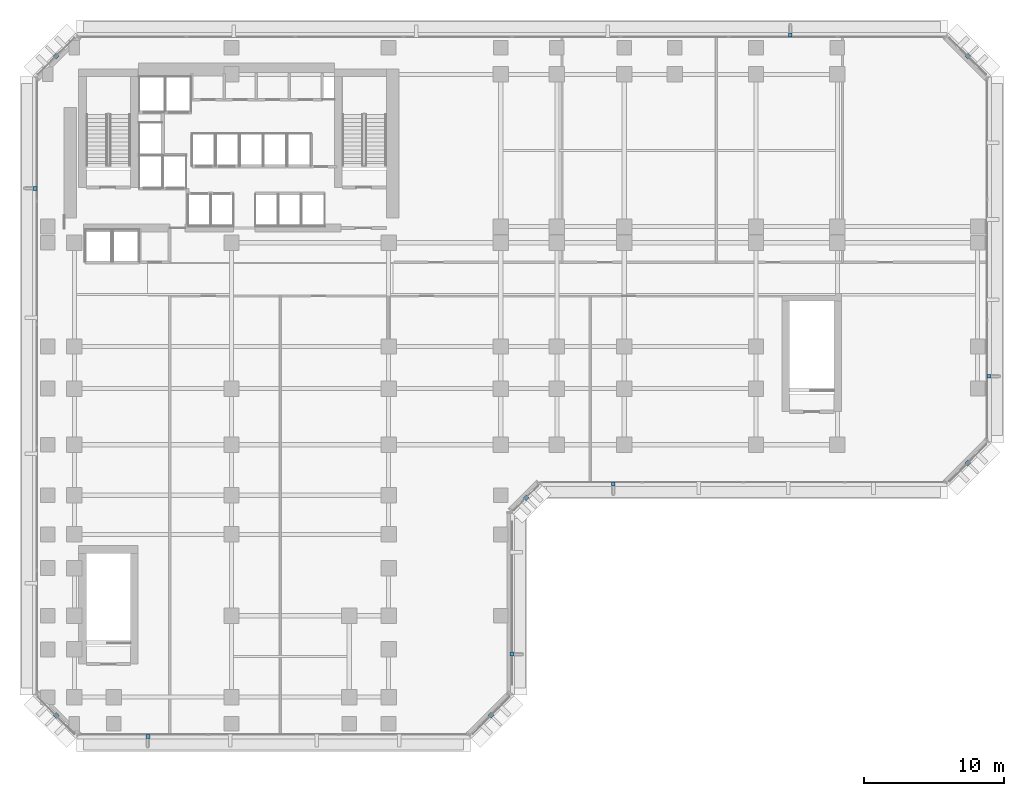
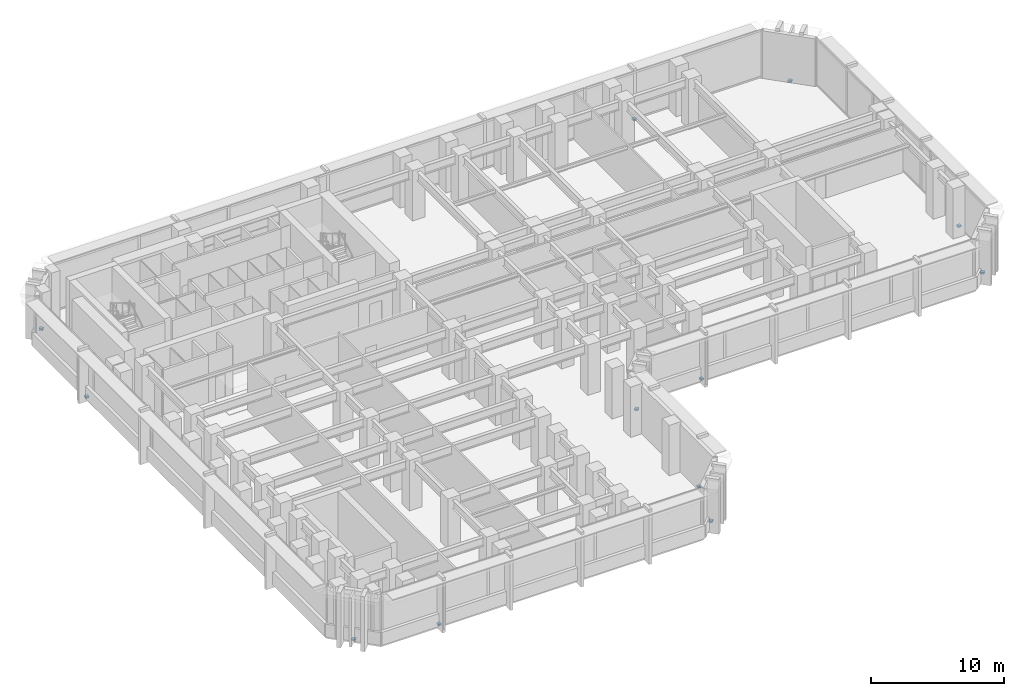
# One storey, part 9 of 14: 12 discrete accessories.
"""IFC4 building model written with IfcOpenShell, lengths in metres."""

from ifc_helpers import new_model, si_unit, direction, frame, origin, origin_2d, place, context, subcontext, project, spatial, rectangle, extrude, material, layer, layer_set, type_object, element, save


model = new_model("IFC4")

# Units and contexts
model_context = context("Model", 3, precision=1e-05, world=origin(), true_north=direction((0.0, 1.0)))
body_context = subcontext(model_context, "Body", "Model", "MODEL_VIEW")
ifc_project = project(units=[si_unit("LENGTHUNIT", "METRE"), si_unit("AREAUNIT", "SQUARE_METRE"), si_unit("VOLUMEUNIT", "CUBIC_METRE"), si_unit("PLANEANGLEUNIT", "RADIAN"), si_unit("MASSUNIT", "GRAM", prefix="KILO")], contexts=[model_context])

# Site, building, storey
site_placement = place(None, origin())
site = spatial("IfcSite", under=ifc_project, at=site_placement, CompositionType="ELEMENT")
building_placement = place(site_placement, origin())
building = spatial("IfcBuilding", under=site, at=building_placement, Name="Kefirva Bronze Tower", CompositionType="ELEMENT")
storey_placement = place(building_placement, frame((0.0, 0.0, 25.739990234375)))
storey = spatial("IfcBuildingStorey", under=building, at=storey_placement, Name="L05", CompositionType="ELEMENT", Elevation=25.739990234375)

# Discrete accessories
ifc_material = material(Name="Stainless steel 316", Category="steel")
ifc_layer = layer(ifc_material, 0.159912109375, Name="Stainless steel 316")
ifc_layer_set = layer_set([ifc_layer], Name="Stainless steel 316")
discrete_accessory_type = type_object("IfcDiscreteAccessoryType", Name="Stainless Facade Outrigger Bracket", PredefinedType="BRACKET", material=ifc_layer_set)
discrete_accessory_1_placement = place(storey_placement, frame((6.0400390625, -2.0, -0.16015625), z_axis=(0.0, 0.0, 1.0), x_axis=(1.0, 0.0, 0.0)))
element("IfcDiscreteAccessory", 1, at=discrete_accessory_1_placement, inside=storey, type_object=discrete_accessory_type, Name="L05 Rib Outrigger Bracket 1", PredefinedType="BRACKET", context=body_context, shape_type="SweptSolid", body=[
    extrude(rectangle(XDim=0.280029296875, YDim=0.280029296875, at=origin_2d()), origin(), (0.0, 0.0, 1.0), 0.159912109375),
])
discrete_accessory_2_placement = place(storey_placement, frame((30.5, -0.5, -0.16015625), z_axis=(0.0, 0.0, 1.0), x_axis=(0.707106781187, 0.707106781187, 0.0)))
element("IfcDiscreteAccessory", 2, at=discrete_accessory_2_placement, inside=storey, type_object=discrete_accessory_type, Name="L05 Corner Fin Outrigger Bracket 6", PredefinedType="BRACKET", context=body_context, shape_type="SweptSolid", body=[
    extrude(rectangle(XDim=0.300048828125, YDim=0.300048828125, at=origin_2d()), origin(), (0.0, 0.0, 1.0), 0.159912109375),
])
discrete_accessory_3_placement = place(storey_placement, frame((32.0, 3.860107421875, -0.16015625), z_axis=(0.0, 0.0, 1.0), x_axis=(0.0, 1.0, 0.0)))
element("IfcDiscreteAccessory", 3, at=discrete_accessory_3_placement, inside=storey, type_object=discrete_accessory_type, Name="L05 Rib Outrigger Bracket 7", PredefinedType="BRACKET", context=body_context, shape_type="SweptSolid", body=[
    extrude(rectangle(XDim=0.280029296875, YDim=0.280029296875, at=origin_2d()), origin(), (0.0, 0.0, 1.0), 0.159912109375),
])
discrete_accessory_4_placement = place(storey_placement, frame((33.0, 15.0, -0.16015625), z_axis=(0.0, 0.0, 1.0), x_axis=(0.707106781187, 0.707106781187, 0.0)))
element("IfcDiscreteAccessory", 4, at=discrete_accessory_4_placement, inside=storey, type_object=discrete_accessory_type, Name="L05 Corner Fin Outrigger Bracket 10", PredefinedType="BRACKET", context=body_context, shape_type="SweptSolid", body=[
    extrude(rectangle(XDim=0.300048828125, YDim=0.300048828125, at=origin_2d()), origin(), (0.0, 0.0, 1.0), 0.159912109375),
])
discrete_accessory_5_placement = place(storey_placement, frame((39.219970703125, 16.0, -0.16015625), z_axis=(0.0, 0.0, 1.0), x_axis=(1.0, 0.0, 0.0)))
element("IfcDiscreteAccessory", 5, at=discrete_accessory_5_placement, inside=storey, type_object=discrete_accessory_type, Name="L05 Rib Outrigger Bracket 11", PredefinedType="BRACKET", context=body_context, shape_type="SweptSolid", body=[
    extrude(rectangle(XDim=0.280029296875, YDim=0.280029296875, at=origin_2d()), origin(), (0.0, 0.0, 1.0), 0.159912109375),
])
discrete_accessory_6_placement = place(storey_placement, frame((64.5, 17.5, -0.16015625), z_axis=(0.0, 0.0, 1.0), x_axis=(0.707106781187, 0.707106781187, 0.0)))
element("IfcDiscreteAccessory", 6, at=discrete_accessory_6_placement, inside=storey, type_object=discrete_accessory_type, Name="L05 Corner Fin Outrigger Bracket 16", PredefinedType="BRACKET", context=body_context, shape_type="SweptSolid", body=[
    extrude(rectangle(XDim=0.300048828125, YDim=0.300048828125, at=origin_2d()), origin(), (0.0, 0.0, 1.0), 0.159912109375),
])
discrete_accessory_7_placement = place(storey_placement, frame((66.0, 23.679931640625, -0.16015625), z_axis=(0.0, 0.0, 1.0), x_axis=(0.0, 1.0, 0.0)))
element("IfcDiscreteAccessory", 7, at=discrete_accessory_7_placement, inside=storey, type_object=discrete_accessory_type, Name="L05 Rib Outrigger Bracket 17", PredefinedType="BRACKET", context=body_context, shape_type="SweptSolid", body=[
    extrude(rectangle(XDim=0.280029296875, YDim=0.280029296875, at=origin_2d()), origin(), (0.0, 0.0, 1.0), 0.159912109375),
])
discrete_accessory_8_placement = place(storey_placement, frame((64.5, 46.5, -0.16015625), z_axis=(0.0, 0.0, 1.0), x_axis=(-0.707106781187, 0.707106781187, 0.0)))
element("IfcDiscreteAccessory", 8, at=discrete_accessory_8_placement, inside=storey, type_object=discrete_accessory_type, Name="L05 Corner Fin Outrigger Bracket 22", PredefinedType="BRACKET", context=body_context, shape_type="SweptSolid", body=[
    extrude(rectangle(XDim=0.300048828125, YDim=0.300048828125, at=origin_2d()), origin(), (0.0, 0.0, 1.0), 0.159912109375),
])
discrete_accessory_9_placement = place(storey_placement, frame((51.840087890625, 48.0, -0.16015625), z_axis=(0.0, 0.0, 1.0), x_axis=(-1.0, 0.0, 0.0)))
element("IfcDiscreteAccessory", 9, at=discrete_accessory_9_placement, inside=storey, type_object=discrete_accessory_type, Name="L05 Rib Outrigger Bracket 23", PredefinedType="BRACKET", context=body_context, shape_type="SweptSolid", body=[
    extrude(rectangle(XDim=0.280029296875, YDim=0.280029296875, at=origin_2d()), origin(), (0.0, 0.0, 1.0), 0.159912109375),
])
discrete_accessory_10_placement = place(storey_placement, frame((-0.5, 46.5, -0.16015625), z_axis=(0.0, 0.0, 1.0), x_axis=(-0.707106781187, -0.707106781187, 0.0)))
element("IfcDiscreteAccessory", 10, at=discrete_accessory_10_placement, inside=storey, type_object=discrete_accessory_type, Name="L05 Corner Fin Outrigger Bracket 28", PredefinedType="BRACKET", context=body_context, shape_type="SweptSolid", body=[
    extrude(rectangle(XDim=0.300048828125, YDim=0.300048828125, at=origin_2d()), origin(), (0.0, 0.0, 1.0), 0.159912109375),
])
discrete_accessory_11_placement = place(storey_placement, frame((-2.0, 37.080078125, -0.16015625), z_axis=(0.0, 0.0, 1.0), x_axis=(0.0, -1.0, 0.0)))
element("IfcDiscreteAccessory", 11, at=discrete_accessory_11_placement, inside=storey, type_object=discrete_accessory_type, Name="L05 Rib Outrigger Bracket 29", PredefinedType="BRACKET", context=body_context, shape_type="SweptSolid", body=[
    extrude(rectangle(XDim=0.280029296875, YDim=0.280029296875, at=origin_2d()), origin(), (0.0, 0.0, 1.0), 0.159912109375),
])
discrete_accessory_12_placement = place(storey_placement, frame((-0.5, -0.5, -0.16015625), z_axis=(0.0, 0.0, 1.0), x_axis=(0.707106781187, -0.707106781187, 0.0)))
element("IfcDiscreteAccessory", 12, at=discrete_accessory_12_placement, inside=storey, type_object=discrete_accessory_type, Name="L05 Corner Fin Outrigger Bracket 34", PredefinedType="BRACKET", context=body_context, shape_type="SweptSolid", body=[
    extrude(rectangle(XDim=0.300048828125, YDim=0.300048828125, at=origin_2d()), origin(), (0.0, 0.0, 1.0), 0.159912109375),
])

save(model, "model.ifc")
